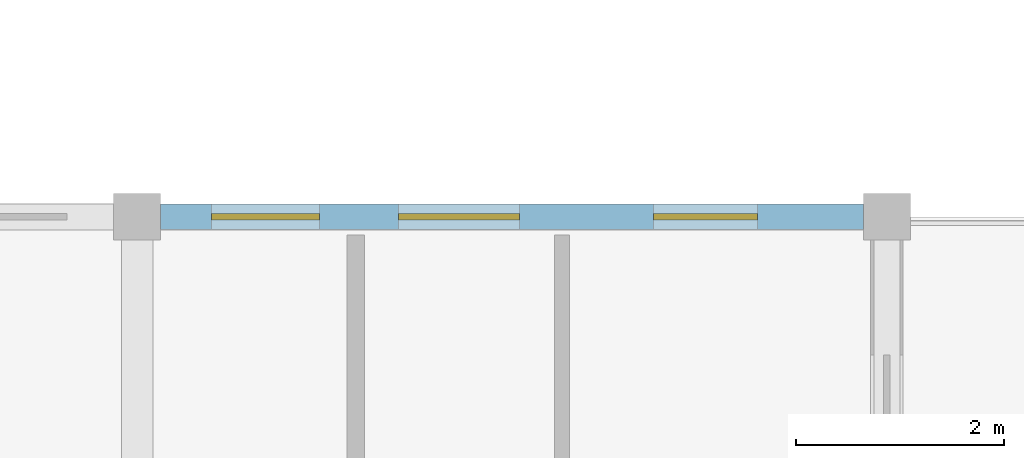
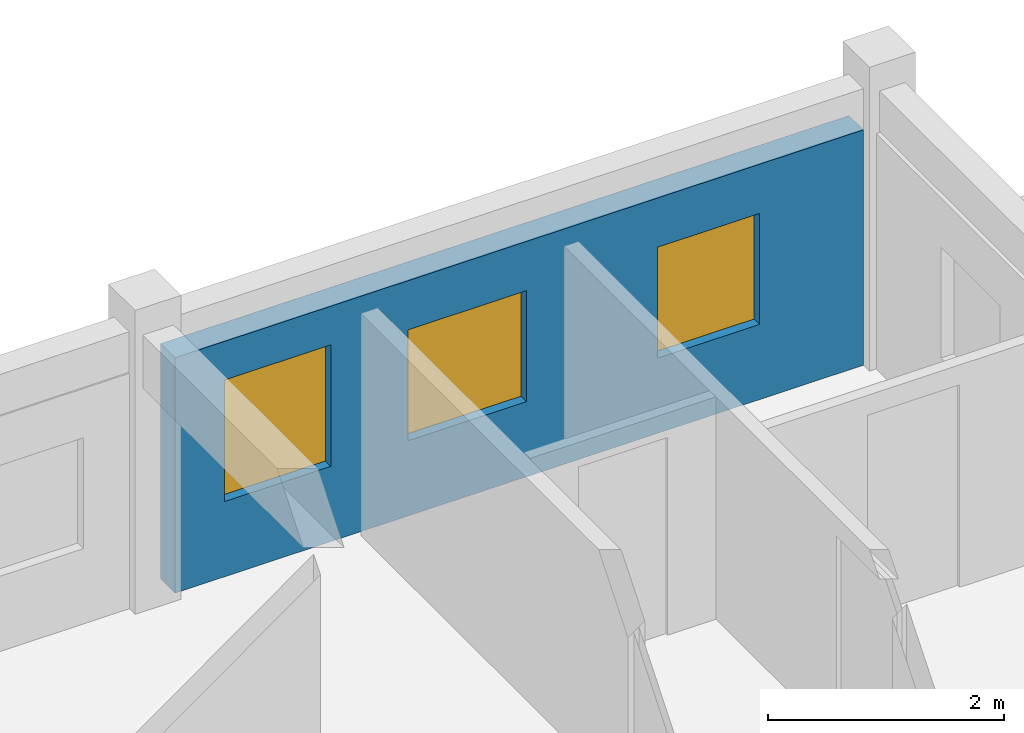
# One storey, part 30 of 40: 3 windows, 1 wall, 3 openings.
"""IFC4 building model written with IfcOpenShell, lengths in metres."""

import ifcopenshell
import ifcopenshell.guid

model = None  # the IFC model being written
_history = None  # IfcOwnerHistory: only IFC2X3 demands one
_inside = {}  # id of a spatial element -> (the spatial element, [elements in it])
_under = {}  # id of a project, library or spatial element -> (it, [spatial elements below it])
_declared = {}  # id of a project -> (the project, [libraries it declares])
_typed = {}  # id of a type object -> (the type object, [elements of that type])
_made_of = {}  # id of a material, layer set ... -> (it, [elements and type objects made of it])


def new_model(schema):
    """Start an empty IFC model of exactly this schema.

    Asked for "IFC4X3", IfcOpenShell would pick the latest addendum, in which some entities
    have other attributes; the version numbers below select the first issue.
    IFC2X3 requires an IfcOwnerHistory on every rooted entity: one is made here for all.
    """
    global model, _history
    if schema == "IFC4X3":
        model = ifcopenshell.file(schema_version=(4, 3, 0, 0))
    else:
        model = ifcopenshell.file(schema=schema)
    _inside.clear()
    _under.clear()
    _declared.clear()
    _typed.clear()
    _made_of.clear()
    _history = None
    if model.schema == "IFC2X3":
        org = make("IfcOrganization", Name="unknown")
        user = make(
            "IfcPersonAndOrganization",
            ThePerson=make("IfcPerson", FamilyName="unknown"),
            TheOrganization=org,
        )
        app = make(
            "IfcApplication",
            ApplicationDeveloper=org,
            Version="unknown",
            ApplicationFullName="unknown",
            ApplicationIdentifier="unknown",
        )
        _history = make(
            "IfcOwnerHistory",
            OwningUser=user,
            OwningApplication=app,
            ChangeAction="ADDED",
            CreationDate=0,
        )
    return model


def make(cls, **values):
    """One entity of the class cls with the attributes given. An attribute that is None is left unset."""
    return model.create_entity(
        cls, **{name: value for name, value in values.items() if value is not None}
    )


def rooted(cls, **values):
    """An entity with a GlobalId (a new one), such as an element, a storey or a relation."""
    return make(cls, GlobalId=ifcopenshell.guid.new(), OwnerHistory=_history, **values)


def si_unit(unit_type, name, prefix=None):
    """IfcSIUnit, for example si_unit("LENGTHUNIT", "METRE", prefix="MILLI")."""
    return make("IfcSIUnit", UnitType=unit_type, Prefix=prefix, Name=name)


def assignment(units):
    """IfcUnitAssignment: the units of a project."""
    return None if units is None else make("IfcUnitAssignment", Units=units)


def point(xyz):
    """IfcCartesianPoint."""
    return None if xyz is None else make("IfcCartesianPoint", Coordinates=xyz)


def direction(xyz):
    """IfcDirection."""
    return None if xyz is None else make("IfcDirection", DirectionRatios=xyz)


def frame(location, z_axis=None, x_axis=None):
    """IfcAxis2Placement3D, a coordinate frame: its origin and axes. An axis left out is left unset."""
    return make(
        "IfcAxis2Placement3D",
        Location=point(location),
        Axis=direction(z_axis),
        RefDirection=direction(x_axis),
    )


def frame_2d(location, x_axis=None):
    """IfcAxis2Placement2D, a coordinate frame in the plane: its origin and x axis."""
    return make(
        "IfcAxis2Placement2D", Location=point(location), RefDirection=direction(x_axis)
    )


def origin():
    """The frame at (0, 0, 0) with its axes left unset."""
    return frame((0.0, 0.0, 0.0))


def place(relative_to, where):
    """IfcLocalPlacement: puts the frame where relative to a parent placement (None: the world)."""
    return make(
        "IfcLocalPlacement", PlacementRelTo=relative_to, RelativePlacement=where
    )


def context(
    kind, dimensions, precision=None, world=None, true_north=None, identifier=None
):
    """IfcGeometricRepresentationContext, for example the 3D "Model" context."""
    return make(
        "IfcGeometricRepresentationContext",
        ContextIdentifier=identifier,
        ContextType=kind,
        CoordinateSpaceDimension=dimensions,
        Precision=precision,
        WorldCoordinateSystem=world,
        TrueNorth=true_north,
    )


def subcontext(parent, identifier, kind, view, scale=None):
    """IfcGeometricRepresentationSubContext, for example "Body" below "Model"."""
    return make(
        "IfcGeometricRepresentationSubContext",
        ContextIdentifier=identifier,
        ContextType=kind,
        ParentContext=parent,
        TargetScale=scale,
        TargetView=view,
    )


def project(units=None, contexts=None):
    """IfcProject with its units and contexts."""
    return rooted(
        "IfcProject",
        Name="project",
        RepresentationContexts=contexts,
        UnitsInContext=assignment(units),
    )


def spatial(cls, under=None, at=None, **own):
    """A site, building, storey or space (cls), placed at a placement, below another one or the project."""
    s = rooted(cls, ObjectPlacement=at, **own)
    if under is not None:
        _under.setdefault(under.id(), (under, []))[1].append(s)
    return s


def profile(cls, at=None, kind="AREA", **sizes):
    """A parametric profile (cls). Its sizes go by their IFC names, for example OverallWidth=200.0."""
    return make(cls, ProfileType=kind, Position=at, **sizes)


def rectangle(**sizes):
    """IfcRectangleProfileDef."""
    return profile("IfcRectangleProfileDef", **sizes)


def extrude(swept, where, along, depth):
    """IfcExtrudedAreaSolid: the profile swept, set in the frame where, extruded along a direction by depth."""
    return make(
        "IfcExtrudedAreaSolid",
        SweptArea=swept,
        Position=where,
        ExtrudedDirection=direction(along),
        Depth=depth,
    )


def shape(context_of_items, identifier, shape_type, items):
    """IfcShapeRepresentation: the items that make up one representation, for example the "Body"."""
    return make(
        "IfcShapeRepresentation",
        ContextOfItems=context_of_items,
        RepresentationIdentifier=identifier,
        RepresentationType=shape_type,
        Items=items,
    )


def material(Name=None, Category=None):
    """IfcMaterial."""
    return make("IfcMaterial", Name=Name, Category=Category)


def layer(
    of_material, thickness, ventilated=None, Name=None, Category=None, Priority=None
):
    """IfcMaterialLayer: one layer of a wall or slab, of a material (None: an air gap)."""
    return make(
        "IfcMaterialLayer",
        Material=of_material,
        LayerThickness=thickness,
        IsVentilated=ventilated,
        Name=Name,
        Category=Category,
        Priority=Priority,
    )


def layer_set(layers, Name=None):
    """IfcMaterialLayerSet."""
    return make("IfcMaterialLayerSet", MaterialLayers=layers, LayerSetName=Name)


def made_of(thing, what):
    """Note that an element or type object is made of a material, layer set ...; save() writes the relation."""
    if what is not None:
        _made_of.setdefault(what.id(), (what, []))[1].append(thing)
    return thing


def type_object(cls, material=None, **own):
    """A type object (cls), such as IfcWallType, which elements share."""
    return made_of(rooted(cls, **own), material)


def element(
    cls,
    number,
    at=None,
    inside=None,
    cuts=None,
    type_object=None,
    material=None,
    context=None,
    identifier="Body",
    shape_type=None,
    held_by="IfcProductDefinitionShape",
    body=None,
    shapes=None,
    **own,
):
    """One element of the class cls, such as IfcWall. Its Tag is "e" and its number.

    at: its placement. inside: the storey or other place that contains it. cuts: it is an
    opening in that element (IfcRelVoidsElement). A single representation is given by context,
    identifier, shape_type and body (its items); several are given by shapes. held_by: the class
    of the entity that holds the representations. save() writes the other relations.
    """
    e = rooted(cls, Tag="e%d" % number, ObjectPlacement=at, **own)
    if body is not None:
        shapes = [shape(context, identifier, shape_type, body)]
    if shapes is not None:
        e.Representation = make(held_by, Representations=shapes)
    if inside is not None:
        _inside.setdefault(inside.id(), (inside, []))[1].append(e)
    if cuts is not None:
        rooted(
            "IfcRelVoidsElement", RelatingBuildingElement=cuts, RelatedOpeningElement=e
        )
    if type_object is not None:
        _typed.setdefault(type_object.id(), (type_object, []))[1].append(e)
    return made_of(e, material)


def fill(opening, filler):
    """IfcRelFillsElement: the door or window that sits in an opening."""
    return rooted(
        "IfcRelFillsElement",
        RelatingOpeningElement=opening,
        RelatedBuildingElement=filler,
    )


def aggregate(whole, parts):
    """IfcRelAggregates: a whole, such as a stair, and the parts it consists of."""
    return rooted("IfcRelAggregates", RelatingObject=whole, RelatedObjects=parts)


def save(model, path):
    """Write the relations noted so far, then the file.

    IfcRelAggregates (storeys below a building ...), IfcRelContainedInSpatialStructure (elements
    in a storey), IfcRelDefinesByType, IfcRelAssociatesMaterial and IfcRelDeclares: one each for
    every whole, place, type object, material and project.
    """
    for whole, parts in _under.values():
        aggregate(whole, parts)
    for where, things in _inside.values():
        rooted(
            "IfcRelContainedInSpatialStructure",
            RelatedElements=things,
            RelatingStructure=where,
        )
    for kind, things in _typed.values():
        rooted("IfcRelDefinesByType", RelatedObjects=things, RelatingType=kind)
    for what, things in _made_of.values():
        rooted("IfcRelAssociatesMaterial", RelatedObjects=things, RelatingMaterial=what)
    for by, libraries in _declared.values():
        rooted("IfcRelDeclares", RelatingContext=by, RelatedDefinitions=libraries)
    model.write(path)


model = new_model("IFC4")

# Units and contexts
model_context = context("Model", 3, precision=1e-05, world=origin(), true_north=direction((0.0, 1.0)))
body_context = subcontext(model_context, "Body", "Model", "MODEL_VIEW")
ifc_project = project(units=[si_unit("LENGTHUNIT", "METRE"), si_unit("AREAUNIT", "SQUARE_METRE"), si_unit("VOLUMEUNIT", "CUBIC_METRE"), si_unit("PLANEANGLEUNIT", "RADIAN"), si_unit("MASSUNIT", "GRAM", prefix="KILO"), si_unit("THERMODYNAMICTEMPERATUREUNIT", "KELVIN"), si_unit("POWERUNIT", "WATT")], contexts=[model_context])

# Site, building, storey
site_placement = place(None, origin())
site = spatial("IfcSite", under=ifc_project, at=site_placement, CompositionType="ELEMENT")
building_placement = place(site_placement, origin())
building = spatial("IfcBuilding", under=site, at=building_placement, Name="Tavuni Mirador Residences", CompositionType="ELEMENT")
storey_placement = place(building_placement, frame((0.0, 0.0, 36.0)))
storey = spatial("IfcBuildingStorey", under=building, at=storey_placement, Name="L11", CompositionType="ELEMENT", Elevation=36.0)

# Wall, openings, windows
ifc_material_1 = material(Name="Sgraffito lime-rendered precast concrete C40/50", Category="concrete")
ifc_layer = layer(ifc_material_1, 0.2451171875, Name="Sgraffito lime-rendered precast concrete C40/50", Category="concrete")
ifc_layer_set = layer_set([ifc_layer], Name="Sgraffito lime-rendered precast concrete C40/50")
wall_type = type_object("IfcWallType", Name="WT-EXT-PC245", PredefinedType="SOLIDWALL", material=ifc_layer_set)
wall_placement = place(storey_placement, frame((24.97509765625, 43.199951171875, 0.0), z_axis=(0.0, 0.0, 1.0), x_axis=(-1.0, 0.0, 0.0)))
wall = element("IfcWall", 1, at=wall_placement, inside=storey, type_object=wall_type, Name="EW-BLK-A-L11-N02", PredefinedType="SOLIDWALL", context=body_context, shape_type="SweptSolid", body=[
    extrude(rectangle(XDim=6.75, YDim=0.2451171875, at=frame_2d((3.375, 0.0))), origin(), (0.0, 0.0, 1.0), 2.43994140625),
])
opening_1_placement = place(wall_placement, frame((1.017578125, 0.0, 0.780029296875)))
opening_1 = element("IfcOpeningElement", 2, at=opening_1_placement, cuts=wall, Name="Opening WN-03", PredefinedType="OPENING", context=body_context, shape_type="SweptSolid", body=[
    extrude(rectangle(XDim=1.0, YDim=1.14990234375, at=frame_2d((0.5, 0.574951171875))), frame((0.0, 0.132568359375, 0.0), z_axis=(0.0, -1.0, 0.0), x_axis=(1.0, 0.0, 0.0)), (0.0, 0.0, 1.0), 0.26513671875),
])
opening_2_placement = place(wall_placement, frame((3.304931640625, 0.0, 0.780029296875)))
opening_2 = element("IfcOpeningElement", 3, at=opening_2_placement, cuts=wall, Name="Opening WN-05", PredefinedType="OPENING", context=body_context, shape_type="SweptSolid", body=[
    extrude(rectangle(XDim=1.159912109375, YDim=1.14990234375, at=frame_2d((0.580078125, 0.574951171875))), frame((0.0, 0.132568359375, 0.0), z_axis=(0.0, -1.0, 0.0), x_axis=(1.0, 0.0, 0.0)), (0.0, 0.0, 1.0), 0.26513671875),
])
opening_3_placement = place(wall_placement, frame((5.222412109375, 0.0, 0.780029296875)))
opening_3 = element("IfcOpeningElement", 4, at=opening_3_placement, cuts=wall, Name="Opening WN-11", PredefinedType="OPENING", context=body_context, shape_type="SweptSolid", body=[
    extrude(rectangle(XDim=1.0400390625, YDim=1.260009765625, at=frame_2d((0.52001953125, 0.6298828125))), frame((0.0, 0.132568359375, 0.0), z_axis=(0.0, -1.0, 0.0), x_axis=(1.0, 0.0, 0.0)), (0.0, 0.0, 1.0), 0.26513671875),
])
ifc_material_2 = material(Name="Laminated solar-control glass", Category="glass")
window_type_1 = type_object("IfcWindowType", Name="WNT-03", PartitioningType="SINGLE_PANEL", PredefinedType="WINDOW", material=ifc_material_2)
window_1_placement = place(opening_1_placement, origin())
window_1 = element("IfcWindow", 5, at=window_1_placement, inside=storey, type_object=window_type_1, Name="WIN-0411", OverallHeight=1.14990234375, OverallWidth=1.0, PartitioningType="SINGLE_PANEL", PredefinedType="WINDOW", context=body_context, shape_type="SweptSolid", body=[
    extrude(rectangle(XDim=1.0, YDim=1.14990234375, at=frame_2d((0.5, 0.574951171875))), frame((0.0, 0.030029296875, 0.0), z_axis=(0.0, -1.0, 0.0), x_axis=(1.0, 0.0, 0.0)), (0.0, 0.0, 1.0), 0.06005859375),
])
fill(opening_1, window_1)
window_type_2 = type_object("IfcWindowType", Name="WNT-05", PartitioningType="SINGLE_PANEL", PredefinedType="WINDOW", material=ifc_material_2)
window_2_placement = place(opening_2_placement, origin())
window_2 = element("IfcWindow", 6, at=window_2_placement, inside=storey, type_object=window_type_2, Name="WIN-0412", OverallHeight=1.14990234375, OverallWidth=1.159912109375, PartitioningType="SINGLE_PANEL", PredefinedType="WINDOW", context=body_context, shape_type="SweptSolid", body=[
    extrude(rectangle(XDim=1.159912109375, YDim=1.14990234375, at=frame_2d((0.580078125, 0.574951171875))), frame((0.0, 0.030029296875, 0.0), z_axis=(0.0, -1.0, 0.0), x_axis=(1.0, 0.0, 0.0)), (0.0, 0.0, 1.0), 0.06005859375),
])
fill(opening_2, window_2)
window_type_3 = type_object("IfcWindowType", Name="WNT-11", PartitioningType="SINGLE_PANEL", PredefinedType="WINDOW", material=ifc_material_2)
window_3_placement = place(opening_3_placement, origin())
window_3 = element("IfcWindow", 7, at=window_3_placement, inside=storey, type_object=window_type_3, Name="WIN-0413", OverallHeight=1.260009765625, OverallWidth=1.0400390625, PartitioningType="SINGLE_PANEL", PredefinedType="WINDOW", context=body_context, shape_type="SweptSolid", body=[
    extrude(rectangle(XDim=1.0400390625, YDim=1.260009765625, at=frame_2d((0.52001953125, 0.6298828125))), frame((0.0, 0.030029296875, 0.0), z_axis=(0.0, -1.0, 0.0), x_axis=(1.0, 0.0, 0.0)), (0.0, 0.0, 1.0), 0.06005859375),
])
fill(opening_3, window_3)

save(model, "model.ifc")
